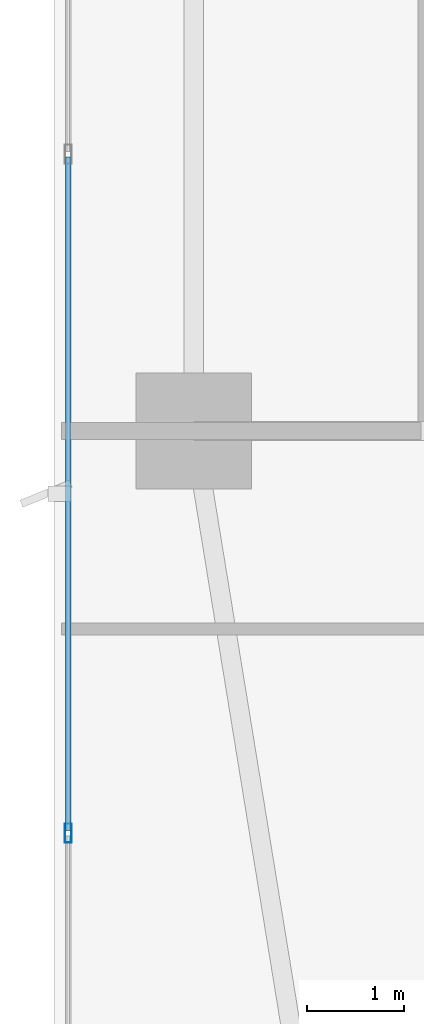
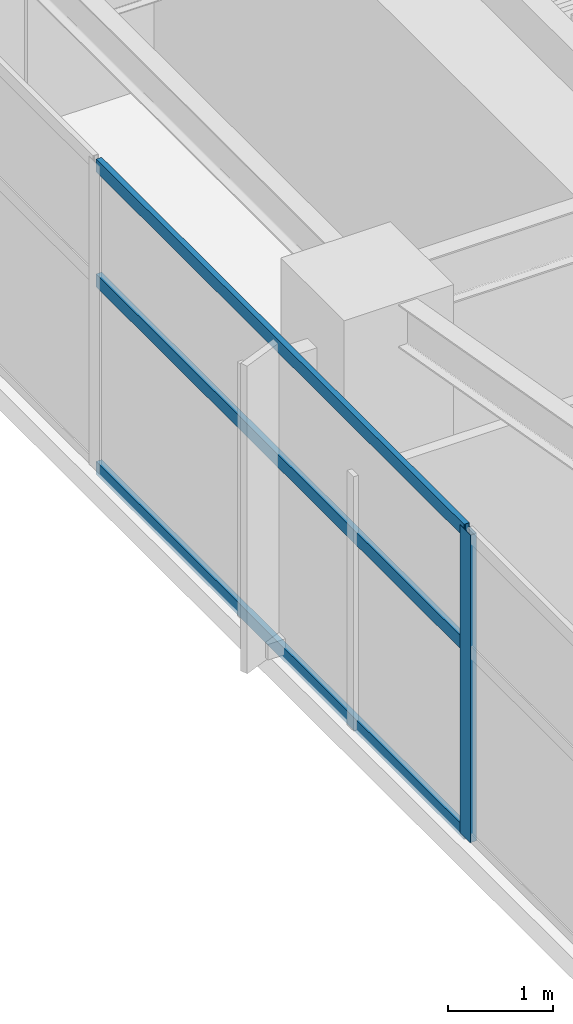
# One storey, part 4 of 29: 4 members, 1 element without a shape of its own.
"""IFC4 building model written with IfcOpenShell, lengths in metres."""

from ifc_helpers import new_model, si_unit, direction, frame, origin, origin_2d, place, context, subcontext, project, spatial, hollow_rectangle, extrude, material, layer, layer_set, material_profile, profile_set, type_object, element, aggregate, save


model = new_model("IFC4")

# Units and contexts
model_context = context("Model", 3, precision=1e-05, world=origin(), true_north=direction((0.0, 1.0)))
body_context = subcontext(model_context, "Body", "Model", "MODEL_VIEW")
ifc_project = project(units=[si_unit("LENGTHUNIT", "METRE"), si_unit("AREAUNIT", "SQUARE_METRE"), si_unit("VOLUMEUNIT", "CUBIC_METRE"), si_unit("PLANEANGLEUNIT", "RADIAN"), si_unit("MASSUNIT", "GRAM", prefix="KILO")], contexts=[model_context])

# Site, building, storey
site_placement = place(None, origin())
site = spatial("IfcSite", under=ifc_project, at=site_placement, CompositionType="ELEMENT")
building_placement = place(site_placement, origin())
building = spatial("IfcBuilding", under=site, at=building_placement, Name="Calvorn Quay Hotel", CompositionType="ELEMENT")
storey_placement = place(building_placement, frame((0.0, 0.0, 163.699951171875)))
storey = spatial("IfcBuildingStorey", under=building, at=storey_placement, Name="L40", CompositionType="ELEMENT", Elevation=163.699951171875)

# Curtain wall, members
ifc_material_1 = material(Name="Pale Anodised Aluminium and Low-E Glass", Category="aluminium")
ifc_layer = layer(ifc_material_1, 0.219970703125)
ifc_layer_set = layer_set([ifc_layer], Name="CW-SYS-Z2")
curtain_wall_type = type_object("IfcCurtainWallType", Name="CW-SYS-Z2", PredefinedType="NOTDEFINED", material=ifc_layer_set)
curtain_wall_placement = place(storey_placement, origin())
curtain_wall = element("IfcCurtainWall", 1, at=curtain_wall_placement, inside=storey, type_object=curtain_wall_type, Name="Tower West Curtain Wall (L40)", PredefinedType="NOTDEFINED")
ifc_material_2 = material(Name="Pale Anodised Aluminium 6063-T6", Category="aluminium")
ifc_material_profile_1 = material_profile(ifc_material_2, hollow_rectangle(XDim=0.070068359375, YDim=0.199951171875, WallThickness=0.00390625, at=origin_2d()), Name="ALU-M200x70x4")
ifc_profile_set_1 = profile_set([ifc_material_profile_1], Name="Pale Anodised Aluminium 6063-T6")
member_type_1 = type_object("IfcMemberType", Name="CW-SYS-Z2-MUL", PredefinedType="MULLION", material=ifc_profile_set_1)
member_1_placement = place(storey_placement, frame((0.14990234375, 12.63330078125, 0.0), z_axis=(0.0, 0.0, 1.0), x_axis=(-1.0, 0.0, 0.0)))
member_1 = element("IfcMember", 2, at=member_1_placement, type_object=member_type_1, Name="CW-L40-W mullion 2", PredefinedType="MULLION", context=body_context, shape_type="SweptSolid", body=[
    extrude(hollow_rectangle(XDim=0.070068359375, YDim=0.199951171875, WallThickness=0.00390625, at=origin_2d()), origin(), (0.0, 0.0, 1.0), 3.56005859375),
])
ifc_material_3 = material(Name="Pale Anodised Aluminium 6063-T6", Category="aluminium")
ifc_material_profile_2 = material_profile(ifc_material_3, hollow_rectangle(XDim=0.06005859375, YDim=0.14990234375, WallThickness=0.00341796875, at=origin_2d()), Name="ALU-T150x60x3.5")
ifc_profile_set_2 = profile_set([ifc_material_profile_2], Name="Pale Anodised Aluminium 6063-T6")
member_type_2 = type_object("IfcMemberType", Name="CW-SYS-Z2-TRN", PredefinedType="USERDEFINED", material=ifc_profile_set_2)
member_2_placement = place(storey_placement, frame((0.14990234375, 12.663330078125, 0.030029296875), z_axis=(0.0, 1.0, 0.0), x_axis=(-1.0, 0.0, 0.0)))
member_2 = element("IfcMember", 3, at=member_2_placement, type_object=member_type_2, Name="CW-L40-W transom 2.1", ObjectType="TRANSOM", PredefinedType="USERDEFINED", context=body_context, shape_type="SweptSolid", body=[
    extrude(hollow_rectangle(XDim=0.06005859375, YDim=0.14990234375, WallThickness=0.00341796875, at=origin_2d()), origin(), (0.0, 0.0, 1.0), 6.973388671875),
])
member_3_placement = place(storey_placement, frame((0.14990234375, 12.663330078125, 2.199951171875), z_axis=(0.0, 1.0, 0.0), x_axis=(-1.0, 0.0, 0.0)))
member_3 = element("IfcMember", 4, at=member_3_placement, type_object=member_type_2, Name="CW-L40-W transom 2.2", ObjectType="TRANSOM", PredefinedType="USERDEFINED", context=body_context, shape_type="SweptSolid", body=[
    extrude(hollow_rectangle(XDim=0.06005859375, YDim=0.14990234375, WallThickness=0.00341796875, at=origin_2d()), origin(), (0.0, 0.0, 1.0), 6.973388671875),
])
member_4_placement = place(storey_placement, frame((0.14990234375, 12.663330078125, 3.530029296875), z_axis=(0.0, 1.0, 0.0), x_axis=(-1.0, 0.0, 0.0)))
member_4 = element("IfcMember", 5, at=member_4_placement, type_object=member_type_2, Name="CW-L40-W transom 2.3", ObjectType="TRANSOM", PredefinedType="USERDEFINED", context=body_context, shape_type="SweptSolid", body=[
    extrude(hollow_rectangle(XDim=0.06005859375, YDim=0.14990234375, WallThickness=0.00341796875, at=origin_2d()), origin(), (0.0, 0.0, 1.0), 6.973388671875),
])
aggregate(curtain_wall, [member_1, member_2, member_3, member_4])

save(model, "model.ifc")
